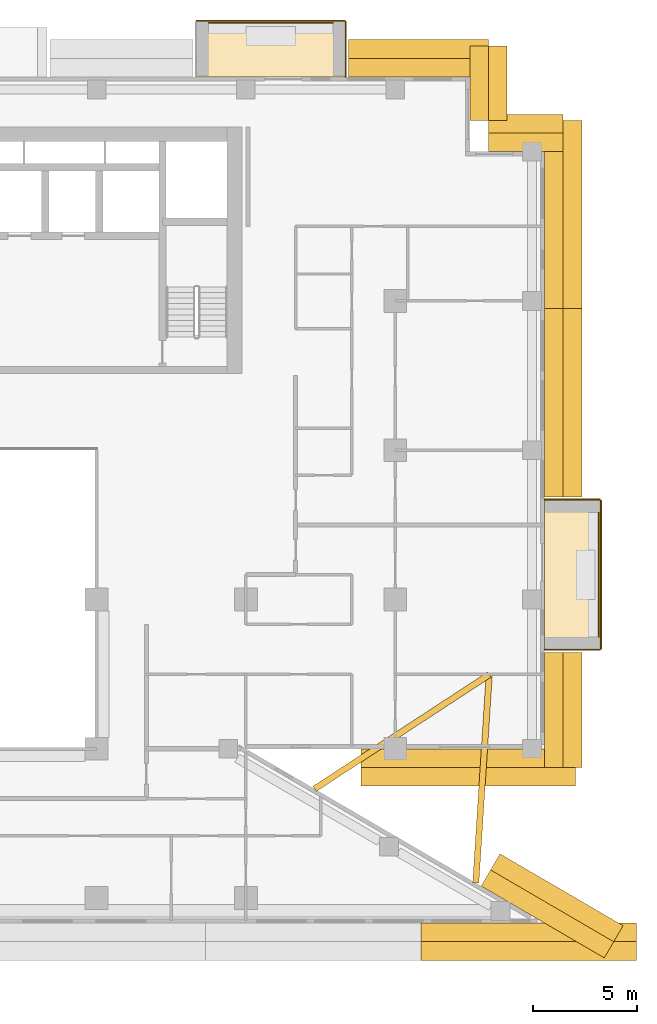
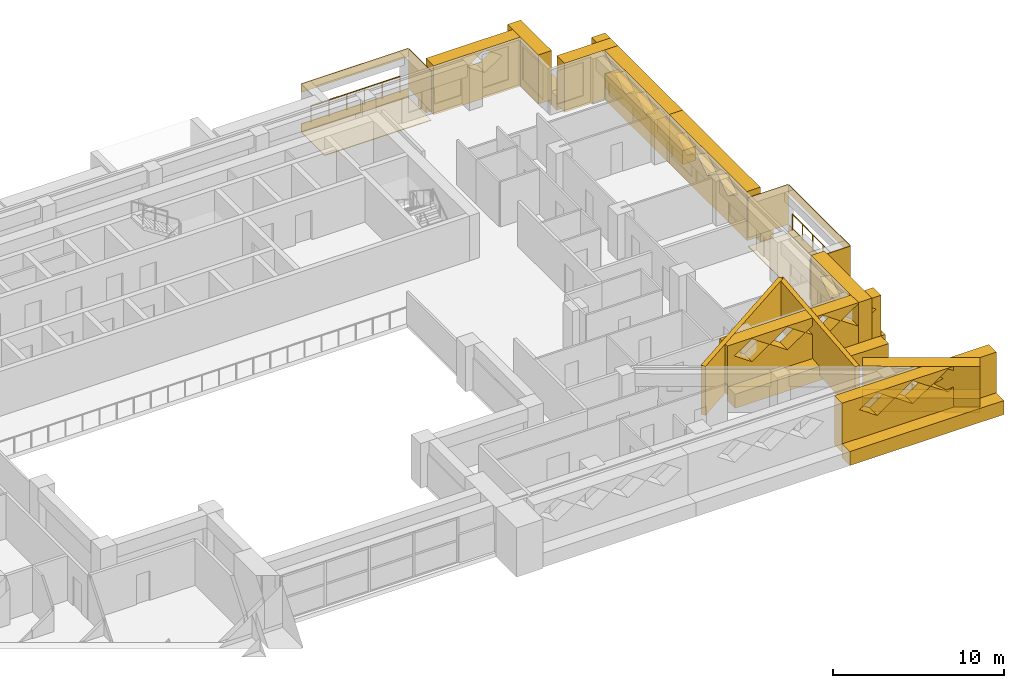
# One storey, part 19 of 19: 29 coverings, 2 railings.
"""IFC4 building model written with IfcOpenShell, lengths in metres."""

from ifc_helpers import new_model, si_unit, direction, frame, origin, origin_2d, place, context, subcontext, project, spatial, polyline, circle, outline, extrude, material, layer, layer_set, type_object, element, save


model = new_model("IFC4")

# Units and contexts
model_context = context("Model", 3, precision=1e-05, world=origin(), true_north=direction((0.0, 1.0)))
body_context = subcontext(model_context, "Body", "Model", "MODEL_VIEW")
ifc_project = project(units=[si_unit("LENGTHUNIT", "METRE"), si_unit("AREAUNIT", "SQUARE_METRE"), si_unit("VOLUMEUNIT", "CUBIC_METRE"), si_unit("PLANEANGLEUNIT", "RADIAN"), si_unit("MASSUNIT", "GRAM", prefix="KILO")], contexts=[model_context])

# Site, building, storey
site_placement = place(None, origin())
site = spatial("IfcSite", under=ifc_project, at=site_placement, CompositionType="ELEMENT")
building_placement = place(site_placement, origin())
building = spatial("IfcBuilding", under=site, at=building_placement, Name="Saffron Iwan Residences", CompositionType="ELEMENT")
storey_placement = place(building_placement, frame((0.0, 0.0, 120.0)))
storey = spatial("IfcBuildingStorey", under=building, at=storey_placement, Name="L31", CompositionType="ELEMENT", Elevation=120.0)

# Railings
ifc_material_1 = material(Name="Stainless steel 316", Category="steel")
railing_type = type_object("IfcRailingType", Name="BALCONY GUARD 1150", PredefinedType="GUARDRAIL", material=ifc_material_1)
railing_1_placement = place(storey_placement, frame((89.02490234375, 53.39990234375, 0.0)))
element("IfcRailing", 1, at=railing_1_placement, inside=storey, type_object=railing_type, Name="Balcony guard L31 F2-0", PredefinedType="GUARDRAIL", context=body_context, shape_type="SweptSolid", body=[
    extrude(circle(Radius=0.02392578125, at=origin_2d()), frame((0.0, 0.0, 1.1259765625), z_axis=(0.0, 1.0, 0.0), x_axis=(-1.0, 0.0, 0.0)), (0.0, 0.0, 1.0), 6.0),
    extrude(circle(Radius=0.02099609375, at=origin_2d()), origin(), (0.0, 0.0, 1.0), 1.101806640625),
    extrude(circle(Radius=0.02099609375, at=origin_2d()), frame((0.0, 1.199951171875, 0.0)), (0.0, 0.0, 1.0), 1.101806640625),
    extrude(circle(Radius=0.02099609375, at=origin_2d()), frame((0.0, 2.39990234375, 0.0)), (0.0, 0.0, 1.0), 1.101806640625),
    extrude(circle(Radius=0.02099609375, at=origin_2d()), frame((0.0, 3.60009765625, 0.0)), (0.0, 0.0, 1.0), 1.101806640625),
    extrude(circle(Radius=0.02099609375, at=origin_2d()), frame((0.0, 4.800048828125, 0.0)), (0.0, 0.0, 1.0), 1.101806640625),
    extrude(circle(Radius=0.02099609375, at=origin_2d()), frame((0.0, 6.0, 0.0)), (0.0, 0.0, 1.0), 1.101806640625),
])
railing_2_placement = place(storey_placement, frame((76.199951171875, 83.02490234375, 0.0)))
element("IfcRailing", 2, at=railing_2_placement, inside=storey, type_object=railing_type, Name="Balcony guard L31 F5-0", PredefinedType="GUARDRAIL", context=body_context, shape_type="SweptSolid", body=[
    extrude(circle(Radius=0.02392578125, at=origin_2d()), frame((0.0, 0.0, 1.1259765625), z_axis=(-1.0, 0.0, 0.0), x_axis=(0.0, -1.0, 0.0)), (0.0, 0.0, 1.0), 6.0),
    extrude(circle(Radius=0.02099609375, at=origin_2d()), origin(), (0.0, 0.0, 1.0), 1.101806640625),
    extrude(circle(Radius=0.02099609375, at=origin_2d()), frame((-1.199951171875, 0.0, 0.0)), (0.0, 0.0, 1.0), 1.101806640625),
    extrude(circle(Radius=0.02099609375, at=origin_2d()), frame((-2.39990234375, 0.0, 0.0)), (0.0, 0.0, 1.0), 1.101806640625),
    extrude(circle(Radius=0.02099609375, at=origin_2d()), frame((-3.60009765625, 0.0, 0.0)), (0.0, 0.0, 1.0), 1.101806640625),
    extrude(circle(Radius=0.02099609375, at=origin_2d()), frame((-4.800048828125, 0.0, 0.0)), (0.0, 0.0, 1.0), 1.101806640625),
    extrude(circle(Radius=0.02099609375, at=origin_2d()), frame((-6.0, 0.0, 0.0)), (0.0, 0.0, 1.0), 1.101806640625),
])

# Coverings
ifc_material_2 = material(Name="Precast concrete C40/50 white painted", Category="concrete")
ifc_layer_1 = layer(ifc_material_2, 0.050048828125)
ifc_layer_set_1 = layer_set([ifc_layer_1], Name="Precast concrete C40/50 white painted")
covering_type_1 = type_object("IfcCoveringType", Name="FRAME SKIN PRECAST WHITE 50", PredefinedType="CLADDING", material=ifc_layer_set_1)
for number, where, name in (
    (3, (0.0, 0.0, -0.60009765625), "Frame skin slab edge L31 F2-0"),
    (4, (0.0, 0.0, 2.25), "Frame skin fascia L31 F2-0"),
):
    element("IfcCovering", number, at=place(storey_placement, frame(where)), inside=storey, type_object=covering_type_1, Name=name, PredefinedType="CLADDING", context=body_context, shape_type="SweptSolid", body=[
        extrude(outline(polyline([(89.14990234375, 52.800048828125), (89.14990234375, 60.0), (89.10009765625, 60.0), (89.10009765625, 52.800048828125), (89.14990234375, 52.800048828125)])), origin(), (0.0, 0.0, 1.0), 0.60009765625),
    ])
covering_1_placement = place(storey_placement, frame((0.0, 0.0, -0.64990234375)))
element("IfcCovering", 5, at=covering_1_placement, inside=storey, type_object=covering_type_1, Name="Frame skin soffit L31 F2-0", PredefinedType="CLADDING", context=body_context, shape_type="SweptSolid", body=[
    extrude(outline(polyline([(89.10009765625, 52.800048828125), (89.10009765625, 60.0), (86.39990234375, 60.0), (86.39990234375, 52.800048828125), (89.10009765625, 52.800048828125)])), origin(), (0.0, 0.0, 1.0), 0.0498046875),
])
covering_2_placement = place(storey_placement, origin())
element("IfcCovering", 6, at=covering_2_placement, inside=storey, type_object=covering_type_1, Name="Frame skin fin L31 F2-0a", PredefinedType="CLADDING", context=body_context, shape_type="SweptSolid", body=[
    extrude(outline(polyline([(89.10009765625, 52.75), (89.10009765625, 52.800048828125), (86.39990234375, 52.800048828125), (86.39990234375, 52.75), (89.10009765625, 52.75)])), origin(), (0.0, 0.0, 1.0), 2.85009765625),
])
covering_3_placement = place(storey_placement, origin())
element("IfcCovering", 7, at=covering_3_placement, inside=storey, type_object=covering_type_1, Name="Frame skin fin L31 F2-0b", PredefinedType="CLADDING", context=body_context, shape_type="SweptSolid", body=[
    extrude(outline(polyline([(89.10009765625, 60.0), (89.10009765625, 60.050048828125), (86.39990234375, 60.050048828125), (86.39990234375, 60.0), (89.10009765625, 60.0)])), origin(), (0.0, 0.0, 1.0), 2.85009765625),
])
for number, where, name in (
    (8, (0.0, 0.0, -0.60009765625), "Frame skin slab edge L31 F5-0"),
    (9, (0.0, 0.0, 2.25), "Frame skin fascia L31 F5-0"),
):
    element("IfcCovering", number, at=place(storey_placement, frame(where)), inside=storey, type_object=covering_type_1, Name=name, PredefinedType="CLADDING", context=body_context, shape_type="SweptSolid", body=[
        extrude(outline(polyline([(76.800048828125, 83.14990234375), (69.60009765625, 83.14990234375), (69.60009765625, 83.10009765625), (76.800048828125, 83.10009765625), (76.800048828125, 83.14990234375)])), origin(), (0.0, 0.0, 1.0), 0.60009765625),
    ])
covering_4_placement = place(storey_placement, frame((0.0, 0.0, -0.64990234375)))
element("IfcCovering", 10, at=covering_4_placement, inside=storey, type_object=covering_type_1, Name="Frame skin soffit L31 F5-0", PredefinedType="CLADDING", context=body_context, shape_type="SweptSolid", body=[
    extrude(outline(polyline([(76.800048828125, 83.10009765625), (69.60009765625, 83.10009765625), (69.60009765625, 80.39990234375), (76.800048828125, 80.39990234375), (76.800048828125, 83.10009765625)])), origin(), (0.0, 0.0, 1.0), 0.0498046875),
])
covering_5_placement = place(storey_placement, origin())
element("IfcCovering", 11, at=covering_5_placement, inside=storey, type_object=covering_type_1, Name="Frame skin fin L31 F5-0a", PredefinedType="CLADDING", context=body_context, shape_type="SweptSolid", body=[
    extrude(outline(polyline([(76.85009765625, 83.10009765625), (76.800048828125, 83.10009765625), (76.800048828125, 80.39990234375), (76.85009765625, 80.39990234375), (76.85009765625, 83.10009765625)])), origin(), (0.0, 0.0, 1.0), 2.85009765625),
])
ifc_material_3 = material(Name="Precast concrete C40/50", Category="concrete")
covering_type_2 = type_object("IfcCoveringType", Name="OUTER SKIN LATTICE SCREEN", PredefinedType="CLADDING", material=ifc_material_3)
covering_6_placement = place(storey_placement, frame((89.283935546875, 37.917724609375, -0.300048828125), z_axis=(0.503803550485, 0.863818257806, 0.0), x_axis=(-0.863818257806, 0.503803550485, 0.0)))
element("IfcCovering", 12, at=covering_6_placement, inside=storey, type_object=covering_type_2, Name="OUTER SKIN lattice screen L31 F0.0", PredefinedType="CLADDING", context=body_context, shape_type="SweptSolid", body=[
    extrude(outline(polyline([(0.0, 0.0), (6.874267578125, 0.0), (6.874267578125, 3.5), (0.0, 3.5), (0.0, 0.0)]), holes=[polyline([(2.15869140625, 2.625), (3.338623046875, 1.81005859375), (4.518798828125, 2.625), (3.338623046875, 3.43994140625), (2.15869140625, 2.625)])]), origin(), (0.0, 0.0, 1.0), 0.89990234375),
])
covering_7_placement = place(storey_placement, frame((77.538818359375, 48.0, -0.300048828125), z_axis=(0.0, -1.0, 0.0), x_axis=(1.0, 0.0, 0.0)))
element("IfcCovering", 13, at=covering_7_placement, inside=storey, type_object=covering_type_2, Name="OUTER SKIN lattice screen L31 F1.0", PredefinedType="CLADDING", context=body_context, shape_type="SweptSolid", body=[
    extrude(outline(polyline([(0.0, 0.0), (10.361328125, 0.0), (10.361328125, 3.5), (0.0, 3.5), (0.0, 0.0)]), holes=[polyline([(0.481201171875, 2.625), (1.661376953125, 1.81005859375), (2.84130859375, 2.625), (1.661376953125, 3.43994140625), (0.481201171875, 2.625)]), polyline([(2.88134765625, 2.625), (4.061279296875, 1.81005859375), (5.2412109375, 2.625), (4.061279296875, 3.43994140625), (2.88134765625, 2.625)]), polyline([(5.28125, 2.625), (6.461181640625, 1.81005859375), (7.641357421875, 2.625), (6.461181640625, 3.43994140625), (5.28125, 2.625)]), polyline([(7.681396484375, 2.625), (8.861328125, 1.81005859375), (10.041259765625, 2.625), (8.861328125, 3.43994140625), (7.681396484375, 2.625)])]), origin(), (0.0, 0.0, 1.0), 0.89990234375),
])
covering_8_placement = place(storey_placement, frame((86.39990234375, 47.10009765625, -0.300048828125), z_axis=(1.0, 0.0, 0.0), x_axis=(0.0, 1.0, 0.0)))
element("IfcCovering", 14, at=covering_8_placement, inside=storey, type_object=covering_type_2, Name="OUTER SKIN lattice screen L31 F2.0", PredefinedType="CLADDING", context=body_context, shape_type="SweptSolid", body=[
    extrude(outline(polyline([(0.0, 0.0), (5.550048828125, 0.0), (5.550048828125, 3.5), (0.0, 3.5), (0.0, 0.0)]), holes=[polyline([(2.1201171875, 2.625), (3.300048828125, 1.81005859375), (4.47998046875, 2.625), (3.300048828125, 3.43994140625), (2.1201171875, 2.625)])]), origin(), (0.0, 0.0, 1.0), 0.900146484375),
])
covering_9_placement = place(storey_placement, frame((86.39990234375, 60.14990234375, -0.300048828125), z_axis=(1.0, 0.0, 0.0), x_axis=(0.0, 1.0, 0.0)))
element("IfcCovering", 15, at=covering_9_placement, inside=storey, type_object=covering_type_2, Name="OUTER SKIN lattice screen L31 F2.1", PredefinedType="CLADDING", context=body_context, shape_type="SweptSolid", body=[
    extrude(outline(polyline([(0.0, 0.0), (9.074951171875, 0.0), (9.074951171875, 3.5), (0.0, 3.5), (0.0, 0.0)]), holes=[polyline([(1.070068359375, 2.625), (2.25, 1.81005859375), (3.429931640625, 2.625), (2.25, 3.43994140625), (1.070068359375, 2.625)]), polyline([(3.469970703125, 2.625), (4.64990234375, 1.81005859375), (5.830078125, 2.625), (4.64990234375, 3.43994140625), (3.469970703125, 2.625)]), polyline([(5.8701171875, 2.625), (7.050048828125, 1.81005859375), (8.22998046875, 2.625), (7.050048828125, 3.43994140625), (5.8701171875, 2.625)])]), origin(), (0.0, 0.0, 1.0), 0.900146484375),
])
covering_10_placement = place(storey_placement, frame((86.39990234375, 69.22509765625, -0.300048828125), z_axis=(1.0, 0.0, 0.0), x_axis=(0.0, 1.0, 0.0)))
element("IfcCovering", 16, at=covering_10_placement, inside=storey, type_object=covering_type_2, Name="OUTER SKIN lattice screen L31 F2.2", PredefinedType="CLADDING", context=body_context, shape_type="SweptSolid", body=[
    extrude(outline(polyline([(0.0, 0.0), (9.074951171875, 0.0), (9.074951171875, 3.5), (0.0, 3.5), (0.0, 0.0)]), holes=[polyline([(1.594970703125, 2.625), (2.77490234375, 1.81005859375), (3.955078125, 2.625), (2.77490234375, 3.43994140625), (1.594970703125, 2.625)]), polyline([(3.9951171875, 2.625), (5.175048828125, 1.81005859375), (6.35498046875, 2.625), (5.175048828125, 3.43994140625), (3.9951171875, 2.625)]), polyline([(6.39501953125, 2.625), (7.574951171875, 1.81005859375), (8.7548828125, 2.625), (7.574951171875, 3.43994140625), (6.39501953125, 2.625)])]), origin(), (0.0, 0.0, 1.0), 0.900146484375),
])
for number, where, z_axis, x_axis, name in (
    (17, (87.300048828125, 76.800048828125, -0.300048828125), (0.0, 1.0, 0.0), (-1.0, 0.0, 0.0), "OUTER SKIN lattice screen L31 F3.0"),
    (18, (82.800048828125, 78.300048828125, -0.300048828125), (1.0, 0.0, 0.0), (0.0, 1.0, 0.0), "OUTER SKIN lattice screen L31 F4.0"),
):
    element("IfcCovering", number, at=place(storey_placement, frame(where, z_axis=z_axis, x_axis=x_axis)), inside=storey, type_object=covering_type_2, Name=name, PredefinedType="CLADDING", context=body_context, shape_type="SweptSolid", body=[
        extrude(outline(polyline([(0.0, 0.0), (3.60009765625, 0.0), (3.60009765625, 3.5), (0.0, 3.5), (0.0, 0.0)])), origin(), (0.0, 0.0, 1.0), 0.89990234375),
    ])
covering_11_placement = place(storey_placement, frame((83.699951171875, 80.39990234375, -0.300048828125), z_axis=(0.0, 1.0, 0.0), x_axis=(-1.0, 0.0, 0.0)))
element("IfcCovering", 19, at=covering_11_placement, inside=storey, type_object=covering_type_2, Name="OUTER SKIN lattice screen L31 F5.0", PredefinedType="CLADDING", context=body_context, shape_type="SweptSolid", body=[
    extrude(outline(polyline([(0.0, 0.0), (6.75, 0.0), (6.75, 3.5), (0.0, 3.5), (0.0, 0.0)]), holes=[polyline([(2.1201171875, 2.625), (3.300048828125, 1.81005859375), (4.47998046875, 2.625), (3.300048828125, 3.43994140625), (2.1201171875, 2.625)])]), origin(), (0.0, 0.0, 1.0), 0.900146484375),
])
covering_12_placement = place(storey_placement, frame((80.4423828125, 39.60009765625, -0.300048828125), z_axis=(0.0, -1.0, 0.0), x_axis=(1.0, 0.0, 0.0)))
element("IfcCovering", 20, at=covering_12_placement, inside=storey, type_object=covering_type_2, Name="OUTER SKIN lattice screen L31 F11.4", PredefinedType="CLADDING", context=body_context, shape_type="SweptSolid", body=[
    extrude(outline(polyline([(0.0, 0.0), (10.396240234375, 0.0), (10.396240234375, 3.5), (0.0, 3.5), (0.0, 0.0)]), holes=[polyline([(1.177490234375, 2.625), (2.357421875, 1.81005859375), (3.53759765625, 2.625), (2.357421875, 3.43994140625), (1.177490234375, 2.625)]), polyline([(3.577392578125, 2.625), (4.757568359375, 1.81005859375), (5.9375, 2.625), (4.757568359375, 3.43994140625), (3.577392578125, 2.625)]), polyline([(5.9775390625, 2.625), (7.157470703125, 1.81005859375), (8.33740234375, 2.625), (7.157470703125, 3.43994140625), (5.9775390625, 2.625)])]), origin(), (0.0, 0.0, 1.0), 0.900146484375),
])
ifc_layer_2 = layer(ifc_material_2, 0.300048828125)
ifc_layer_set_2 = layer_set([ifc_layer_2], Name="Precast concrete C40/50 white painted")
covering_type_3 = type_object("IfcCoveringType", Name="PROW NOSE BLADE PRECAST WHITE", PredefinedType="CLADDING", material=ifc_layer_set_2)
covering_13_placement = place(storey_placement, frame((0.0, 0.0, -0.300048828125)))
element("IfcCovering", 21, at=covering_13_placement, inside=storey, type_object=covering_type_3, Name="Prow nose blade L31 a", PredefinedType="CLADDING", context=body_context, shape_type="SweptSolid", body=[
    extrude(outline(polyline([(83.23681640625, 41.52294921875), (83.884521484375, 51.564453125), (83.585205078125, 51.583740234375), (82.937255859375, 41.542236328125), (83.23681640625, 41.52294921875)])), origin(), (0.0, 0.0, 1.0), 3.5),
])
covering_14_placement = place(storey_placement, frame((0.0, 0.0, -0.300048828125)))
element("IfcCovering", 22, at=covering_14_placement, inside=storey, type_object=covering_type_3, Name="Prow nose blade L31 b", PredefinedType="CLADDING", context=body_context, shape_type="SweptSolid", body=[
    extrude(outline(polyline([(75.39501953125, 45.94189453125), (83.81689453125, 51.448486328125), (83.65283203125, 51.69970703125), (75.23095703125, 46.193115234375), (75.39501953125, 45.94189453125)])), origin(), (0.0, 0.0, 1.0), 3.5),
])
ifc_layer_3 = layer(ifc_material_2, 0.89990234375)
ifc_layer_set_3 = layer_set([ifc_layer_3], Name="Precast concrete C40/50 white painted")
covering_type_4 = type_object("IfcCoveringType", Name="WHITE EDGE BAND 900 x 1000", PredefinedType="CLADDING", material=ifc_layer_set_3)
covering_15_placement = place(storey_placement, frame((0.0, 0.0, -0.699951171875)))
element("IfcCovering", 23, at=covering_15_placement, inside=storey, type_object=covering_type_4, Name="White edge band L31 F0.0", PredefinedType="CLADDING", context=body_context, shape_type="SweptSolid", body=[
    extrude(outline(polyline([(90.19091796875, 39.472412109375), (84.253173828125, 42.936279296875), (83.799560546875, 42.15869140625), (89.7373046875, 38.695068359375), (90.19091796875, 39.472412109375)])), origin(), (0.0, 0.0, 1.0), 1.0),
])
covering_16_placement = place(storey_placement, frame((0.0, 0.0, -0.699951171875)))
element("IfcCovering", 24, at=covering_16_placement, inside=storey, type_object=covering_type_4, Name="White edge band L31 F1.0", PredefinedType="CLADDING", context=body_context, shape_type="SweptSolid", body=[
    extrude(outline(polyline([(77.538818359375, 46.199951171875), (87.89990234375, 46.199951171875), (87.89990234375, 47.10009765625), (77.538818359375, 47.10009765625), (77.538818359375, 46.199951171875)])), origin(), (0.0, 0.0, 1.0), 1.0),
])
covering_17_placement = place(storey_placement, frame((0.0, 0.0, -0.699951171875)))
element("IfcCovering", 25, at=covering_17_placement, inside=storey, type_object=covering_type_4, Name="White edge band L31 F2.0", PredefinedType="CLADDING", context=body_context, shape_type="SweptSolid", body=[
    extrude(outline(polyline([(88.199951171875, 47.10009765625), (88.199951171875, 52.64990234375), (87.300048828125, 52.64990234375), (87.300048828125, 47.10009765625), (88.199951171875, 47.10009765625)])), origin(), (0.0, 0.0, 1.0), 1.0),
])
covering_18_placement = place(storey_placement, frame((0.0, 0.0, -0.699951171875)))
element("IfcCovering", 26, at=covering_18_placement, inside=storey, type_object=covering_type_4, Name="White edge band L31 F2.1", PredefinedType="CLADDING", context=body_context, shape_type="SweptSolid", body=[
    extrude(outline(polyline([(88.199951171875, 60.14990234375), (88.199951171875, 69.22509765625), (87.300048828125, 69.22509765625), (87.300048828125, 60.14990234375), (88.199951171875, 60.14990234375)])), origin(), (0.0, 0.0, 1.0), 1.0),
])
covering_19_placement = place(storey_placement, frame((0.0, 0.0, -0.699951171875)))
element("IfcCovering", 27, at=covering_19_placement, inside=storey, type_object=covering_type_4, Name="White edge band L31 F2.2", PredefinedType="CLADDING", context=body_context, shape_type="SweptSolid", body=[
    extrude(outline(polyline([(88.199951171875, 69.22509765625), (88.199951171875, 78.300048828125), (87.300048828125, 78.300048828125), (87.300048828125, 69.22509765625), (88.199951171875, 69.22509765625)])), origin(), (0.0, 0.0, 1.0), 1.0),
])
covering_20_placement = place(storey_placement, frame((0.0, 0.0, -0.699951171875)))
element("IfcCovering", 28, at=covering_20_placement, inside=storey, type_object=covering_type_4, Name="White edge band L31 F3.0", PredefinedType="CLADDING", context=body_context, shape_type="SweptSolid", body=[
    extrude(outline(polyline([(87.300048828125, 78.60009765625), (83.699951171875, 78.60009765625), (83.699951171875, 77.699951171875), (87.300048828125, 77.699951171875), (87.300048828125, 78.60009765625)])), origin(), (0.0, 0.0, 1.0), 1.0),
])
covering_21_placement = place(storey_placement, frame((0.0, 0.0, -0.699951171875)))
element("IfcCovering", 29, at=covering_21_placement, inside=storey, type_object=covering_type_4, Name="White edge band L31 F4.0", PredefinedType="CLADDING", context=body_context, shape_type="SweptSolid", body=[
    extrude(outline(polyline([(84.60009765625, 78.300048828125), (84.60009765625, 81.89990234375), (83.699951171875, 81.89990234375), (83.699951171875, 78.300048828125), (84.60009765625, 78.300048828125)])), origin(), (0.0, 0.0, 1.0), 1.0),
])
covering_22_placement = place(storey_placement, frame((0.0, 0.0, -0.699951171875)))
element("IfcCovering", 30, at=covering_22_placement, inside=storey, type_object=covering_type_4, Name="White edge band L31 F5.0", PredefinedType="CLADDING", context=body_context, shape_type="SweptSolid", body=[
    extrude(outline(polyline([(83.699951171875, 82.199951171875), (76.949951171875, 82.199951171875), (76.949951171875, 81.300048828125), (83.699951171875, 81.300048828125), (83.699951171875, 82.199951171875)])), origin(), (0.0, 0.0, 1.0), 1.0),
])
covering_23_placement = place(storey_placement, frame((0.0, 0.0, -0.699951171875)))
element("IfcCovering", 31, at=covering_23_placement, inside=storey, type_object=covering_type_4, Name="White edge band L31 F11.4", PredefinedType="CLADDING", context=body_context, shape_type="SweptSolid", body=[
    extrude(outline(polyline([(80.4423828125, 37.800048828125), (90.838623046875, 37.800048828125), (90.838623046875, 38.699951171875), (80.4423828125, 38.699951171875), (80.4423828125, 37.800048828125)])), origin(), (0.0, 0.0, 1.0), 1.0),
])

save(model, "model.ifc")
